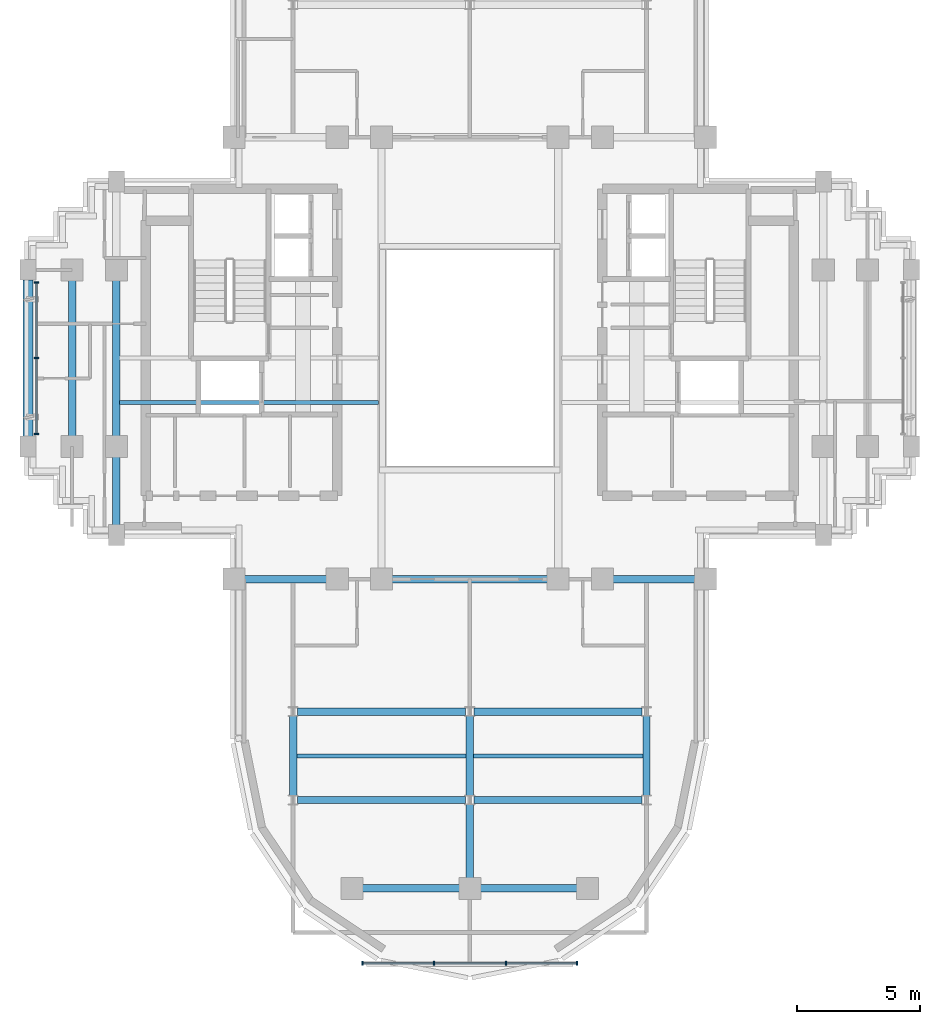
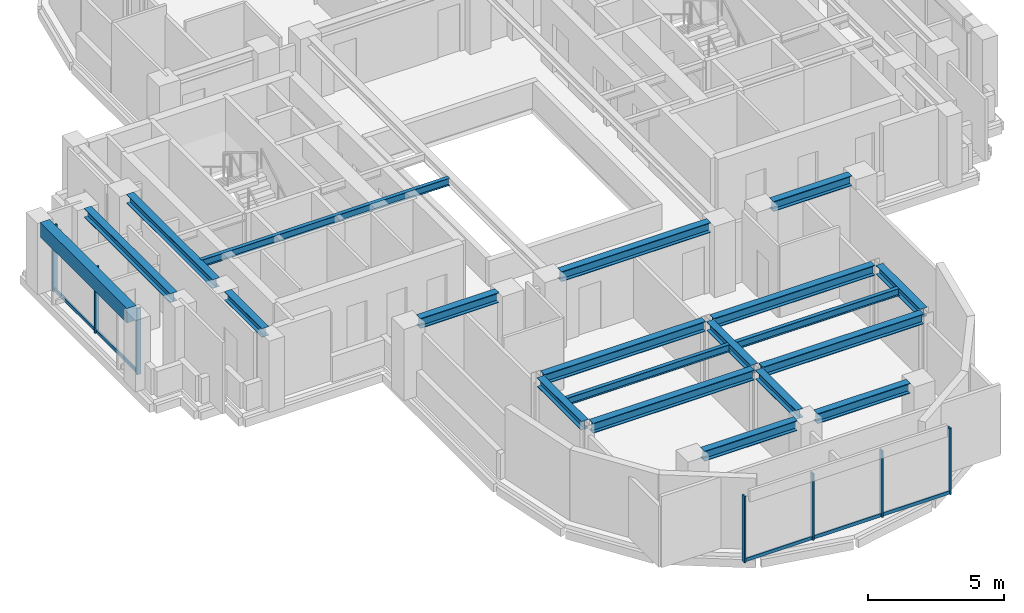
# One storey, part 2 of 12: 20 beams, 12 members, 2 elements without a shape of their own.
"""IFC4 building model written with IfcOpenShell, lengths in metres."""

from ifc_helpers import new_model, si_unit, direction, frame, origin, origin_2d, place, context, subcontext, project, spatial, rectangle, i_section, extrude, source, transform, mapped, material, material_profile, profile_set, type_object, element, aggregate, save


model = new_model("IFC4")

# Units and contexts
model_context = context("Model", 3, precision=1e-05, world=origin(), true_north=direction((0.0, 1.0)))
body_context = subcontext(model_context, "Body", "Model", "MODEL_VIEW")
ifc_project = project(units=[si_unit("LENGTHUNIT", "METRE"), si_unit("AREAUNIT", "SQUARE_METRE"), si_unit("VOLUMEUNIT", "CUBIC_METRE"), si_unit("PLANEANGLEUNIT", "RADIAN"), si_unit("MASSUNIT", "GRAM", prefix="KILO")], contexts=[model_context])

# Site, building, storey
site_placement = place(None, origin())
site = spatial("IfcSite", under=ifc_project, at=site_placement, CompositionType="ELEMENT")
building_placement = place(site_placement, origin())
building = spatial("IfcBuilding", under=site, at=building_placement, Name="Keilestroom Media Tower", CompositionType="ELEMENT")
storey_placement = place(building_placement, frame((0.0, 0.0, 191.0)))
storey = spatial("IfcBuildingStorey", under=building, at=storey_placement, Name="L52", CompositionType="ELEMENT", Elevation=191.0)

# Beams
ifc_material_1 = material(Name="Steel S355", Category="steel")
ifc_material_profile_1 = material_profile(ifc_material_1, i_section(OverallWidth=0.300048828125, OverallDepth=0.449951171875, WebThickness=0.011962890625, FlangeThickness=0.02587890625, at=origin_2d()), Name="HEB 450")
ifc_profile_set_1 = profile_set([ifc_material_profile_1], Name="Steel S355")
beam_type_1 = type_object("IfcBeamType", Name="Primary-Structural-Girder-HEB-450", PredefinedType="BEAM", material=ifc_profile_set_1)
shared_shape_1 = source(origin(), body_context, "Body", "SweptSolid", [
    extrude(i_section(OverallWidth=0.300048828125, OverallDepth=0.449951171875, WebThickness=0.011962890625, FlangeThickness=0.02587890625, at=origin_2d()), origin(), (0.0, 0.0, 1.0), 3.940185546875),
])
for number, where, z_axis, x_axis, name in (
    (1, (-4.3701171875, -21.60009765625, 2.97509765625), (1.0, 0.0, 0.0), (0.0, 1.0, 0.0), "L52 Beam BG-7 BM-L52-EW-001"),
    (2, (0.429931640625, -21.60009765625, 2.97509765625), (1.0, 0.0, 0.0), (0.0, 1.0, 0.0), "L52 Beam BG-7 BM-L52-EW-002"),
):
    element("IfcBeam", number, at=place(storey_placement, frame(where, z_axis=z_axis, x_axis=x_axis)), inside=storey, type_object=beam_type_1, Name=name, PredefinedType="BEAM", context=body_context, shape_type="MappedRepresentation", body=[
        mapped(shared_shape_1, transform((0.0, 0.0, 0.0), x_axis=(1.0, 0.0, 0.0), y_axis=(0.0, 1.0, 0.0), z_axis=(0.0, 0.0, 1.0), scale=1.0)),
    ])
shared_shape_2 = source(origin(), body_context, "Body", "SweptSolid", [
    extrude(i_section(OverallWidth=0.300048828125, OverallDepth=0.449951171875, WebThickness=0.011962890625, FlangeThickness=0.02587890625, at=origin_2d()), origin(), (0.0, 0.0, 1.0), 6.842041015625),
])
for number, where, z_axis, x_axis, name in (
    (3, (-7.02099609375, -18.0, 2.97509765625), (1.0, 0.0, 0.0), (0.0, 1.0, 0.0), "L52 Beam BG-7 BM-L52-EW-003"),
    (4, (0.178955078125, -18.0, 2.97509765625), (1.0, 0.0, 0.0), (0.0, 1.0, 0.0), "L52 Beam BG-7 BM-L52-EW-004"),
    (5, (-7.02099609375, -14.39990234375, 2.97509765625), (1.0, 0.0, 0.0), (0.0, 1.0, 0.0), "L52 Beam BG-7 BM-L52-EW-005"),
    (6, (0.178955078125, -14.39990234375, 2.97509765625), (1.0, 0.0, 0.0), (0.0, 1.0, 0.0), "L52 Beam BG-7 BM-L52-EW-006"),
):
    element("IfcBeam", number, at=place(storey_placement, frame(where, z_axis=z_axis, x_axis=x_axis)), inside=storey, type_object=beam_type_1, Name=name, PredefinedType="BEAM", context=body_context, shape_type="MappedRepresentation", body=[
        mapped(shared_shape_2, transform((0.0, 0.0, 0.0), x_axis=(1.0, 0.0, 0.0), y_axis=(0.0, 1.0, 0.0), z_axis=(0.0, 0.0, 1.0), scale=1.0)),
    ])
shared_shape_3 = source(origin(), body_context, "Body", "SweptSolid", [
    extrude(i_section(OverallWidth=0.300048828125, OverallDepth=0.449951171875, WebThickness=0.011962890625, FlangeThickness=0.02587890625, at=origin_2d()), origin(), (0.0, 0.0, 1.0), 3.33984375),
])
for number, where, z_axis, x_axis, name in (
    (7, (-9.169921875, -9.0, 2.97509765625), (1.0, 0.0, 0.0), (0.0, 1.0, 0.0), "L52 Beam BG-7 BM-L52-EW-007"),
    (8, (5.830078125, -9.0, 2.97509765625), (1.0, 0.0, 0.0), (0.0, 1.0, 0.0), "L52 Beam BG-7 BM-L52-EW-011"),
):
    element("IfcBeam", number, at=place(storey_placement, frame(where, z_axis=z_axis, x_axis=x_axis)), inside=storey, type_object=beam_type_1, Name=name, PredefinedType="BEAM", context=body_context, shape_type="MappedRepresentation", body=[
        mapped(shared_shape_3, transform((0.0, 0.0, 0.0), x_axis=(1.0, 0.0, 0.0), y_axis=(0.0, 1.0, 0.0), z_axis=(0.0, 0.0, 1.0), scale=1.0)),
    ])
shared_shape_4 = source(origin(), body_context, "Body", "SweptSolid", [
    extrude(i_section(OverallWidth=0.300048828125, OverallDepth=0.449951171875, WebThickness=0.011962890625, FlangeThickness=0.02587890625, at=origin_2d()), origin(), (0.0, 0.0, 1.0), 6.33984375),
])
beam_1_placement = place(storey_placement, frame((-3.169921875, -9.0, 2.97509765625), z_axis=(1.0, 0.0, 0.0), x_axis=(0.0, 1.0, 0.0)))
element("IfcBeam", 9, at=beam_1_placement, inside=storey, type_object=beam_type_1, Name="L52 Beam BG-7 BM-L52-EW-009", PredefinedType="BEAM", context=body_context, shape_type="MappedRepresentation", body=[
    mapped(shared_shape_4, transform((0.0, 0.0, 0.0), x_axis=(1.0, 0.0, 0.0), y_axis=(0.0, 1.0, 0.0), z_axis=(0.0, 0.0, 1.0), scale=1.0)),
])
ifc_material_2 = material(Name="Precast concrete C40/50", Category="concrete")
ifc_material_profile_2 = material_profile(ifc_material_2, rectangle(XDim=0.39990234375, YDim=0.64990234375, at=origin_2d()), Name="PC 400x650")
ifc_profile_set_2 = profile_set([ifc_material_profile_2], Name="Precast concrete C40/50")
beam_type_2 = type_object("IfcBeamType", Name="Perimeter-Spandrel-Beam-PC-400x650", PredefinedType="SPANDREL", material=ifc_profile_set_2)
shared_shape_5 = source(origin(), body_context, "Body", "SweptSolid", [
    extrude(rectangle(XDim=0.39990234375, YDim=0.64990234375, at=origin_2d()), origin(), (0.0, 0.0, 1.0), 6.39013671875),
])
beam_2_placement = place(storey_placement, frame((-18.0, -3.195068359375, 2.875), z_axis=(0.0, 1.0, 0.0), x_axis=(-1.0, 0.0, 0.0)))
element("IfcBeam", 10, at=beam_2_placement, inside=storey, type_object=beam_type_2, Name="L52 Beam SPB-2 BM-L52-NS-031", PredefinedType="SPANDREL", context=body_context, shape_type="MappedRepresentation", body=[
    mapped(shared_shape_5, transform((0.0, 0.0, 0.0), x_axis=(1.0, 0.0, 0.0), y_axis=(0.0, 1.0, 0.0), z_axis=(0.0, 0.0, 1.0), scale=1.0)),
])
ifc_material_profile_3 = material_profile(ifc_material_1, i_section(OverallWidth=0.300048828125, OverallDepth=0.39990234375, WebThickness=0.011474609375, FlangeThickness=0.02392578125, at=origin_2d()), Name="HEB 400")
ifc_profile_set_3 = profile_set([ifc_material_profile_3], Name="Steel S355")
beam_type_3 = type_object("IfcBeamType", Name="Primary-Structural-Girder-HEB-400", PredefinedType="BEAM", material=ifc_profile_set_3)
shared_shape_6 = source(origin(), body_context, "Body", "SweptSolid", [
    extrude(i_section(OverallWidth=0.300048828125, OverallDepth=0.39990234375, WebThickness=0.011474609375, FlangeThickness=0.02392578125, at=origin_2d()), origin(), (0.0, 0.0, 1.0), 6.33984375),
])
for number, where, z_axis, x_axis, name in (
    (11, (-16.199951171875, -3.169921875, 3.0), (0.0, 1.0, 0.0), (-1.0, 0.0, 0.0), "L52 Beam BG-8 BM-L52-NS-032"),
    (12, (-14.39990234375, -3.169921875, 3.0), (0.0, 1.0, 0.0), (-1.0, 0.0, 0.0), "L52 Beam BG-8 BM-L52-NS-034"),
):
    element("IfcBeam", number, at=place(storey_placement, frame(where, z_axis=z_axis, x_axis=x_axis)), inside=storey, type_object=beam_type_3, Name=name, PredefinedType="BEAM", context=body_context, shape_type="MappedRepresentation", body=[
        mapped(shared_shape_6, transform((0.0, 0.0, 0.0), x_axis=(1.0, 0.0, 0.0), y_axis=(0.0, 1.0, 0.0), z_axis=(0.0, 0.0, 1.0), scale=1.0)),
    ])
shared_shape_7 = source(origin(), body_context, "Body", "SweptSolid", [
    extrude(i_section(OverallWidth=0.300048828125, OverallDepth=0.39990234375, WebThickness=0.011474609375, FlangeThickness=0.02392578125, at=origin_2d()), origin(), (0.0, 0.0, 1.0), 2.764892578125),
])
beam_3_placement = place(storey_placement, frame((-14.39990234375, -6.794921875, 3.0), z_axis=(0.0, 1.0, 0.0), x_axis=(-1.0, 0.0, 0.0)))
element("IfcBeam", 13, at=beam_3_placement, inside=storey, type_object=beam_type_3, Name="L52 Beam BG-8 BM-L52-NS-033", PredefinedType="BEAM", context=body_context, shape_type="MappedRepresentation", body=[
    mapped(shared_shape_7, transform((0.0, 0.0, 0.0), x_axis=(1.0, 0.0, 0.0), y_axis=(0.0, 1.0, 0.0), z_axis=(0.0, 0.0, 1.0), scale=1.0)),
])
shared_shape_8 = source(origin(), body_context, "Body", "SweptSolid", [
    extrude(i_section(OverallWidth=0.300048828125, OverallDepth=0.39990234375, WebThickness=0.011474609375, FlangeThickness=0.02392578125, at=origin_2d()), origin(), (0.0, 0.0, 1.0), 3.2529296875),
])
for number, where, z_axis, x_axis, name in (
    (14, (-7.199951171875, -17.826416015625, 3.0), (0.0, 1.0, 0.0), (-1.0, 0.0, 0.0), "L52 Beam BG-8 BM-L52-NS-037"),
    (15, (0.0, -17.826416015625, 3.0), (0.0, 1.0, 0.0), (-1.0, 0.0, 0.0), "L52 Beam BG-8 BM-L52-NS-042"),
    (16, (7.199951171875, -17.826416015625, 3.0), (0.0, 1.0, 0.0), (-1.0, 0.0, 0.0), "L52 Beam BG-8 BM-L52-NS-047"),
):
    element("IfcBeam", number, at=place(storey_placement, frame(where, z_axis=z_axis, x_axis=x_axis)), inside=storey, type_object=beam_type_3, Name=name, PredefinedType="BEAM", context=body_context, shape_type="MappedRepresentation", body=[
        mapped(shared_shape_8, transform((0.0, 0.0, 0.0), x_axis=(1.0, 0.0, 0.0), y_axis=(0.0, 1.0, 0.0), z_axis=(0.0, 0.0, 1.0), scale=1.0)),
    ])
shared_shape_9 = source(origin(), body_context, "Body", "SweptSolid", [
    extrude(i_section(OverallWidth=0.300048828125, OverallDepth=0.39990234375, WebThickness=0.011474609375, FlangeThickness=0.02392578125, at=origin_2d()), origin(), (0.0, 0.0, 1.0), 2.996337890625),
])
beam_4_placement = place(storey_placement, frame((0.0, -21.169921875, 3.0), z_axis=(0.0, 1.0, 0.0), x_axis=(-1.0, 0.0, 0.0)))
element("IfcBeam", 17, at=beam_4_placement, inside=storey, type_object=beam_type_3, Name="L52 Beam BG-8 BM-L52-NS-041", PredefinedType="BEAM", context=body_context, shape_type="MappedRepresentation", body=[
    mapped(shared_shape_9, transform((0.0, 0.0, 0.0), x_axis=(1.0, 0.0, 0.0), y_axis=(0.0, 1.0, 0.0), z_axis=(0.0, 0.0, 1.0), scale=1.0)),
])
ifc_material_profile_4 = material_profile(ifc_material_1, i_section(OverallWidth=0.159912109375, OverallDepth=0.330078125, WebThickness=0.007568359375, FlangeThickness=0.011474609375, at=origin_2d()), Name="IPE 330")
ifc_profile_set_4 = profile_set([ifc_material_profile_4], Name="Steel S355")
beam_type_4 = type_object("IfcBeamType", Name="Secondary-Floor-Joist-IPE-330", PredefinedType="JOIST", material=ifc_profile_set_4)
shared_shape_10 = source(origin(), body_context, "Body", "SweptSolid", [
    extrude(i_section(OverallWidth=0.159912109375, OverallDepth=0.330078125, WebThickness=0.007568359375, FlangeThickness=0.011474609375, at=origin_2d()), origin(), (0.0, 0.0, 1.0), 6.940185546875),
])
for number, where, z_axis, x_axis, name in (
    (18, (-7.070068359375, -16.199951171875, 3.034912109375), (1.0, 0.0, 0.0), (0.0, 1.0, 0.0), "L52 Beam BJ-6 JST-L52-055"),
    (19, (0.1298828125, -16.199951171875, 3.034912109375), (1.0, 0.0, 0.0), (0.0, 1.0, 0.0), "L52 Beam BJ-6 JST-L52-056"),
):
    element("IfcBeam", number, at=place(storey_placement, frame(where, z_axis=z_axis, x_axis=x_axis)), inside=storey, type_object=beam_type_4, Name=name, PredefinedType="JOIST", context=body_context, shape_type="MappedRepresentation", body=[
        mapped(shared_shape_10, transform((0.0, 0.0, 0.0), x_axis=(1.0, 0.0, 0.0), y_axis=(0.0, 1.0, 0.0), z_axis=(0.0, 0.0, 1.0), scale=1.0)),
    ])
shared_shape_11 = source(origin(), body_context, "Body", "SweptSolid", [
    extrude(i_section(OverallWidth=0.159912109375, OverallDepth=0.330078125, WebThickness=0.007568359375, FlangeThickness=0.011474609375, at=origin_2d()), origin(), (0.0, 0.0, 1.0), 10.5400390625),
])
beam_5_placement = place(storey_placement, frame((-14.27001953125, -1.800048828125, 3.034912109375), z_axis=(1.0, 0.0, 0.0), x_axis=(0.0, 1.0, 0.0)))
element("IfcBeam", 20, at=beam_5_placement, inside=storey, type_object=beam_type_4, Name="L52 Beam BJ-6 JST-L52-057", PredefinedType="JOIST", context=body_context, shape_type="MappedRepresentation", body=[
    mapped(shared_shape_11, transform((0.0, 0.0, 0.0), x_axis=(1.0, 0.0, 0.0), y_axis=(0.0, 1.0, 0.0), z_axis=(0.0, 0.0, 1.0), scale=1.0)),
])

# Curtain wall, members
ifc_material_3 = material(Name="Anodised Aluminium Alloy", Category="aluminium")
curtain_wall_type_1 = type_object("IfcCurtainWallType", Name="Unitised-Curtain-Wall-CW-6", PredefinedType="NOTDEFINED", material=ifc_material_3)
curtain_wall_1_placement = place(storey_placement, origin())
curtain_wall_1 = element("IfcCurtainWall", 21, at=curtain_wall_1_placement, inside=storey, type_object=curtain_wall_type_1, Name="L52 Curtain Wall CW-6 CW-L52-LS-1", PredefinedType="NOTDEFINED")
ifc_material_profile_5 = material_profile(ifc_material_3, rectangle(XDim=0.06494140625, YDim=0.179931640625, at=origin_2d()), Name="ALU MULLION 65x180")
ifc_profile_set_5 = profile_set([ifc_material_profile_5], Name="Anodised Aluminium Alloy")
member_type_1 = type_object("IfcMemberType", Name="Curtain-Wall-Mullion-CW-6", PredefinedType="MULLION", material=ifc_profile_set_5)
shared_shape_12 = source(origin(), body_context, "Body", "SweptSolid", [
    extrude(rectangle(XDim=0.06494140625, YDim=0.179931640625, at=origin_2d()), origin(), (0.0, 0.0, 1.0), 2.97998046875),
])
member_1_placement = place(storey_placement, frame((-4.367431640625, -24.64990234375, 0.0), z_axis=(0.0, 0.0, 1.0), x_axis=(1.0, 0.0, 0.0)))
member_1 = element("IfcMember", 22, at=member_1_placement, type_object=member_type_1, Name="CW-6 Mullion 00", PredefinedType="MULLION", context=body_context, shape_type="MappedRepresentation", body=[
    mapped(shared_shape_12, transform((0.0, 0.0, 0.0), x_axis=(1.0, 0.0, 0.0), y_axis=(0.0, 1.0, 0.0), z_axis=(0.0, 0.0, 1.0), scale=1.0)),
])
member_2_placement = place(storey_placement, frame((-1.466796875, -24.64990234375, 0.0), z_axis=(0.0, 0.0, 1.0), x_axis=(1.0, 0.0, 0.0)))
member_2 = element("IfcMember", 23, at=member_2_placement, type_object=member_type_1, Name="CW-6 Mullion 01", PredefinedType="MULLION", context=body_context, shape_type="MappedRepresentation", body=[
    mapped(shared_shape_12, transform((0.0, 0.0, 0.0), x_axis=(1.0, 0.0, 0.0), y_axis=(0.0, 1.0, 0.0), z_axis=(0.0, 0.0, 1.0), scale=1.0)),
])
member_3_placement = place(storey_placement, frame((1.466796875, -24.64990234375, 0.0), z_axis=(0.0, 0.0, 1.0), x_axis=(1.0, 0.0, 0.0)))
member_3 = element("IfcMember", 24, at=member_3_placement, type_object=member_type_1, Name="CW-6 Mullion 02", PredefinedType="MULLION", context=body_context, shape_type="MappedRepresentation", body=[
    mapped(shared_shape_12, transform((0.0, 0.0, 0.0), x_axis=(1.0, 0.0, 0.0), y_axis=(0.0, 1.0, 0.0), z_axis=(0.0, 0.0, 1.0), scale=1.0)),
])
member_4_placement = place(storey_placement, frame((4.367431640625, -24.64990234375, 0.0), z_axis=(0.0, 0.0, 1.0), x_axis=(1.0, 0.0, 0.0)))
member_4 = element("IfcMember", 25, at=member_4_placement, type_object=member_type_1, Name="CW-6 Mullion 03", PredefinedType="MULLION", context=body_context, shape_type="MappedRepresentation", body=[
    mapped(shared_shape_12, transform((0.0, 0.0, 0.0), x_axis=(1.0, 0.0, 0.0), y_axis=(0.0, 1.0, 0.0), z_axis=(0.0, 0.0, 1.0), scale=1.0)),
])
ifc_material_profile_6 = material_profile(ifc_material_3, rectangle(XDim=0.06494140625, YDim=0.14990234375, at=origin_2d()), Name="ALU TRANSOM 65x150")
ifc_profile_set_6 = profile_set([ifc_material_profile_6], Name="Anodised Aluminium Alloy")
member_type_2 = type_object("IfcMemberType", Name="Curtain-Wall-Transom-CW-6", PredefinedType="USERDEFINED", material=ifc_profile_set_6)
shared_shape_13 = source(origin(), body_context, "Body", "SweptSolid", [
    extrude(rectangle(XDim=0.06494140625, YDim=0.14990234375, at=origin_2d()), origin(), (0.0, 0.0, 1.0), 2.839599609375),
])
member_5_placement = place(storey_placement, frame((-4.3369140625, -24.64990234375, 0.074951171875), z_axis=(1.0, 0.0, 0.0), x_axis=(0.0, 1.0, 0.0)))
member_5 = element("IfcMember", 26, at=member_5_placement, type_object=member_type_2, Name="CW-6 Transom 00.1", ObjectType="TRANSOM", PredefinedType="USERDEFINED", context=body_context, shape_type="MappedRepresentation", body=[
    mapped(shared_shape_13, transform((0.0, 0.0, 0.0), x_axis=(1.0, 0.0, 0.0), y_axis=(0.0, 1.0, 0.0), z_axis=(0.0, 0.0, 1.0), scale=1.0)),
])
member_6_placement = place(storey_placement, frame((1.497314453125, -24.64990234375, 0.074951171875), z_axis=(1.0, 0.0, 0.0), x_axis=(0.0, 1.0, 0.0)))
member_6 = element("IfcMember", 27, at=member_6_placement, type_object=member_type_2, Name="CW-6 Transom 02.1", ObjectType="TRANSOM", PredefinedType="USERDEFINED", context=body_context, shape_type="MappedRepresentation", body=[
    mapped(shared_shape_13, transform((0.0, 0.0, 0.0), x_axis=(1.0, 0.0, 0.0), y_axis=(0.0, 1.0, 0.0), z_axis=(0.0, 0.0, 1.0), scale=1.0)),
])
shared_shape_14 = source(origin(), body_context, "Body", "SweptSolid", [
    extrude(rectangle(XDim=0.06494140625, YDim=0.14990234375, at=origin_2d()), origin(), (0.0, 0.0, 1.0), 2.87255859375),
])
member_7_placement = place(storey_placement, frame((-1.436279296875, -24.64990234375, 0.074951171875), z_axis=(1.0, 0.0, 0.0), x_axis=(0.0, 1.0, 0.0)))
member_7 = element("IfcMember", 28, at=member_7_placement, type_object=member_type_2, Name="CW-6 Transom 01.1", ObjectType="TRANSOM", PredefinedType="USERDEFINED", context=body_context, shape_type="MappedRepresentation", body=[
    mapped(shared_shape_14, transform((0.0, 0.0, 0.0), x_axis=(1.0, 0.0, 0.0), y_axis=(0.0, 1.0, 0.0), z_axis=(0.0, 0.0, 1.0), scale=1.0)),
])
aggregate(curtain_wall_1, [member_1, member_2, member_3, member_4, member_5, member_7, member_6])

curtain_wall_type_2 = type_object("IfcCurtainWallType", Name="Unitised-Curtain-Wall-CW-3", PredefinedType="NOTDEFINED", material=ifc_material_3)
curtain_wall_2_placement = place(storey_placement, origin())
curtain_wall_2 = element("IfcCurtainWall", 29, at=curtain_wall_2_placement, inside=storey, type_object=curtain_wall_type_2, Name="L52 Curtain Wall CW-3 CW-L52-W-1", PredefinedType="NOTDEFINED")
ifc_material_profile_7 = material_profile(ifc_material_3, rectangle(XDim=0.06494140625, YDim=0.179931640625, at=origin_2d()), Name="ALU MULLION 65x180")
ifc_profile_set_7 = profile_set([ifc_material_profile_7], Name="Anodised Aluminium Alloy")
member_type_3 = type_object("IfcMemberType", Name="Curtain-Wall-Mullion-CW-3", PredefinedType="MULLION", material=ifc_profile_set_7)
shared_shape_15 = source(origin(), body_context, "Body", "SweptSolid", [
    extrude(rectangle(XDim=0.06494140625, YDim=0.179931640625, at=origin_2d()), origin(), (0.0, 0.0, 1.0), 2.97998046875),
])
member_8_placement = place(storey_placement, frame((-17.64990234375, -3.08251953125, 0.0), z_axis=(0.0, 0.0, 1.0), x_axis=(0.0, 1.0, 0.0)))
member_8 = element("IfcMember", 30, at=member_8_placement, type_object=member_type_3, Name="CW-3 Mullion 00", PredefinedType="MULLION", context=body_context, shape_type="MappedRepresentation", body=[
    mapped(shared_shape_15, transform((0.0, 0.0, 0.0), x_axis=(1.0, 0.0, 0.0), y_axis=(0.0, 1.0, 0.0), z_axis=(0.0, 0.0, 1.0), scale=1.0)),
])
member_9_placement = place(storey_placement, frame((-17.64990234375, 0.0, 0.0), z_axis=(0.0, 0.0, 1.0), x_axis=(0.0, 1.0, 0.0)))
member_9 = element("IfcMember", 31, at=member_9_placement, type_object=member_type_3, Name="CW-3 Mullion 01", PredefinedType="MULLION", context=body_context, shape_type="MappedRepresentation", body=[
    mapped(shared_shape_15, transform((0.0, 0.0, 0.0), x_axis=(1.0, 0.0, 0.0), y_axis=(0.0, 1.0, 0.0), z_axis=(0.0, 0.0, 1.0), scale=1.0)),
])
member_10_placement = place(storey_placement, frame((-17.64990234375, 3.08251953125, 0.0), z_axis=(0.0, 0.0, 1.0), x_axis=(0.0, 1.0, 0.0)))
member_10 = element("IfcMember", 32, at=member_10_placement, type_object=member_type_3, Name="CW-3 Mullion 02", PredefinedType="MULLION", context=body_context, shape_type="MappedRepresentation", body=[
    mapped(shared_shape_15, transform((0.0, 0.0, 0.0), x_axis=(1.0, 0.0, 0.0), y_axis=(0.0, 1.0, 0.0), z_axis=(0.0, 0.0, 1.0), scale=1.0)),
])
ifc_material_profile_8 = material_profile(ifc_material_3, rectangle(XDim=0.06494140625, YDim=0.14990234375, at=origin_2d()), Name="ALU TRANSOM 65x150")
ifc_profile_set_8 = profile_set([ifc_material_profile_8], Name="Anodised Aluminium Alloy")
member_type_4 = type_object("IfcMemberType", Name="Curtain-Wall-Transom-CW-3", PredefinedType="USERDEFINED", material=ifc_profile_set_8)
shared_shape_16 = source(origin(), body_context, "Body", "SweptSolid", [
    extrude(rectangle(XDim=0.06494140625, YDim=0.14990234375, at=origin_2d()), origin(), (0.0, 0.0, 1.0), 3.021484375),
])
member_11_placement = place(storey_placement, frame((-17.64990234375, -3.052001953125, 0.074951171875), z_axis=(0.0, 1.0, 0.0), x_axis=(-1.0, 0.0, 0.0)))
member_11 = element("IfcMember", 33, at=member_11_placement, type_object=member_type_4, Name="CW-3 Transom 00.1", ObjectType="TRANSOM", PredefinedType="USERDEFINED", context=body_context, shape_type="MappedRepresentation", body=[
    mapped(shared_shape_16, transform((0.0, 0.0, 0.0), x_axis=(1.0, 0.0, 0.0), y_axis=(0.0, 1.0, 0.0), z_axis=(0.0, 0.0, 1.0), scale=1.0)),
])
member_12_placement = place(storey_placement, frame((-17.64990234375, 0.030517578125, 0.074951171875), z_axis=(0.0, 1.0, 0.0), x_axis=(-1.0, 0.0, 0.0)))
member_12 = element("IfcMember", 34, at=member_12_placement, type_object=member_type_4, Name="CW-3 Transom 01.1", ObjectType="TRANSOM", PredefinedType="USERDEFINED", context=body_context, shape_type="MappedRepresentation", body=[
    mapped(shared_shape_16, transform((0.0, 0.0, 0.0), x_axis=(1.0, 0.0, 0.0), y_axis=(0.0, 1.0, 0.0), z_axis=(0.0, 0.0, 1.0), scale=1.0)),
])
aggregate(curtain_wall_2, [member_8, member_9, member_10, member_11, member_12])

save(model, "model.ifc")
